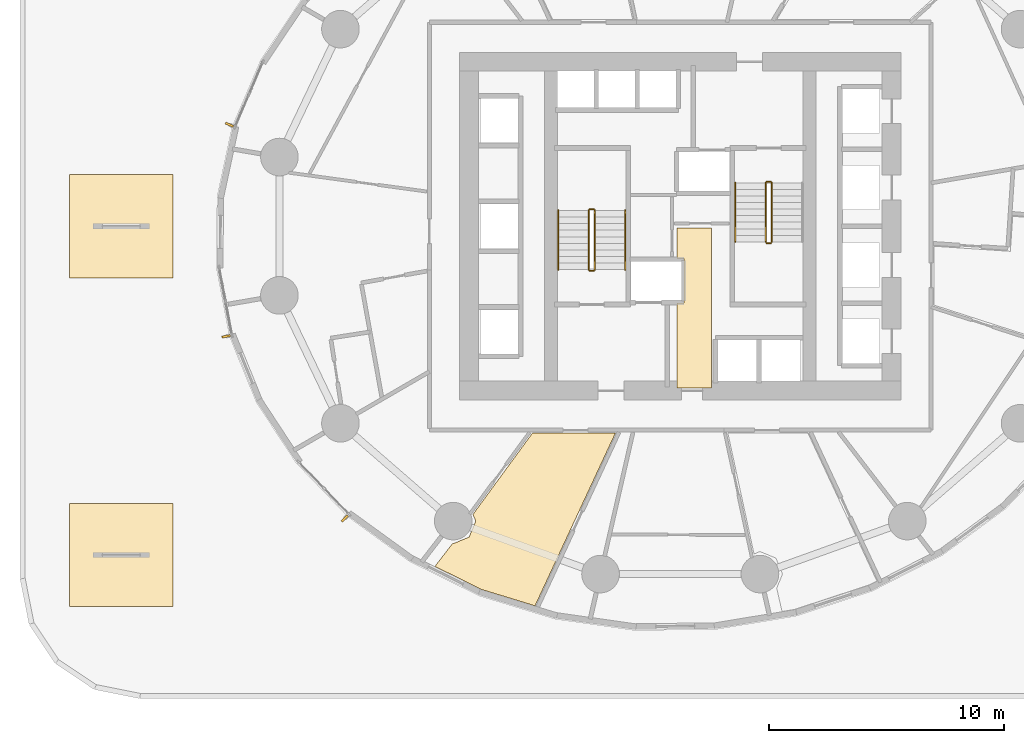
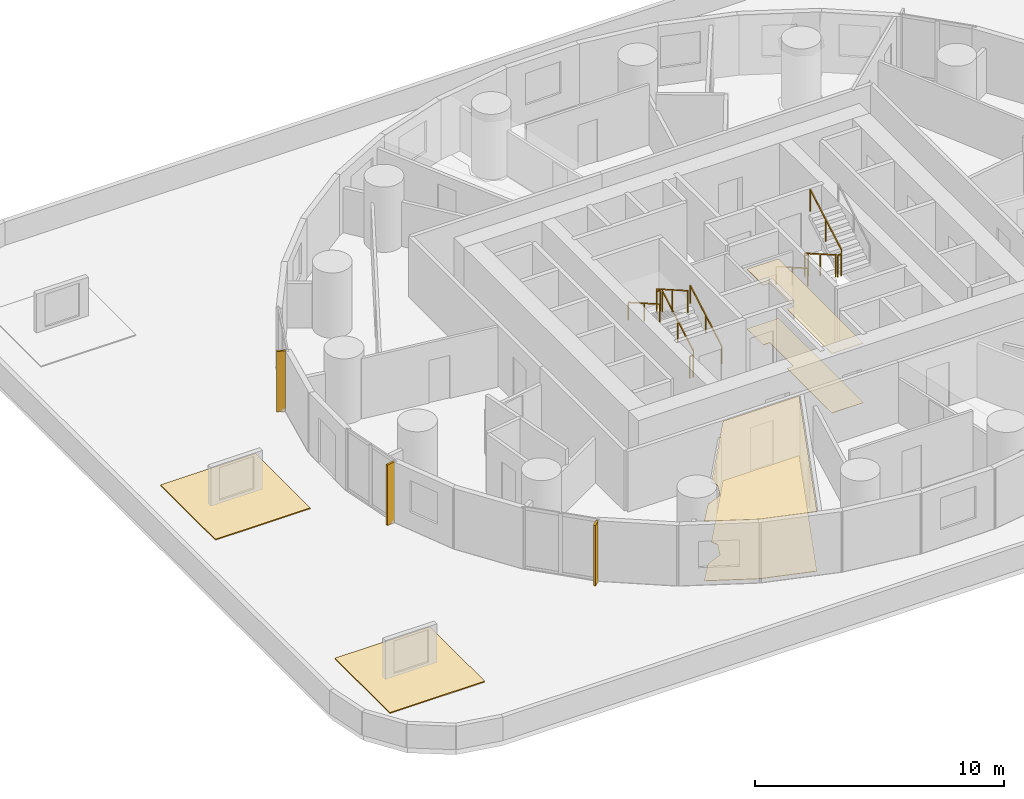
# One storey, part 11 of 12: 11 railings, 6 coverings, 3 shading devices.
"""IFC4 building model written with IfcOpenShell, lengths in metres."""

from ifc_helpers import new_model, si_unit, direction, frame, origin, origin_2d, place, context, subcontext, project, spatial, polyline, rectangle, outline, extrude, material, layer, layer_set, type_object, element, save


model = new_model("IFC4")

# Units and contexts
model_context = context("Model", 3, precision=1e-05, world=origin(), true_north=direction((0.0, 1.0)))
body_context = subcontext(model_context, "Body", "Model", "MODEL_VIEW")
ifc_project = project(units=[si_unit("LENGTHUNIT", "METRE"), si_unit("AREAUNIT", "SQUARE_METRE"), si_unit("VOLUMEUNIT", "CUBIC_METRE"), si_unit("PLANEANGLEUNIT", "RADIAN"), si_unit("MASSUNIT", "GRAM", prefix="KILO")], contexts=[model_context])

# Site, building, storey
site_placement = place(None, origin())
site = spatial("IfcSite", under=ifc_project, at=site_placement, CompositionType="ELEMENT")
building_placement = place(site_placement, origin())
building = spatial("IfcBuilding", under=site, at=building_placement, Name="Veldorim Arch Residences", CompositionType="ELEMENT")
storey_placement = place(building_placement, frame((0.0, 0.0, 24.800048828125)))
storey = spatial("IfcBuildingStorey", under=building, at=storey_placement, Name="L06", CompositionType="ELEMENT", Elevation=24.800048828125)

# Railings
ifc_material_1 = material(Name="Steel S355", Category="steel")
railing_type_1 = type_object("IfcRailingType", Name="Galvanised Steel Stair Safety Guardrail 1100", PredefinedType="GUARDRAIL", material=ifc_material_1)
railing_1_placement = place(storey_placement, frame((28.360107421875, 22.14990234375, 0.159912109375)))
element("IfcRailing", 1, at=railing_1_placement, inside=storey, type_object=railing_type_1, Name="L06 ST-1 stair guard 1", PredefinedType="GUARDRAIL", context=body_context, shape_type="SweptSolid", body=[
    extrude(rectangle(XDim=0.048095703125, YDim=0.048095703125, at=origin_2d()), frame((0.0, 0.0, 1.076171875), z_axis=(0.0, 0.868253494771, 0.496120820787), x_axis=(-1.0, 0.0, 0.0)), (0.0, 0.0, 1.0), 2.90234375),
    extrude(rectangle(XDim=0.0419921875, YDim=0.0419921875, at=origin_2d()), origin(), (0.0, 0.0, 1.0), 1.052001953125),
    extrude(rectangle(XDim=0.0419921875, YDim=0.0419921875, at=origin_2d()), frame((0.0, 1.260009765625, 0.719970703125)), (0.0, 0.0, 1.0), 1.052001953125),
    extrude(rectangle(XDim=0.0419921875, YDim=0.0419921875, at=origin_2d()), frame((0.0, 2.52001953125, 1.43994140625)), (0.0, 0.0, 1.0), 1.052001953125),
])
railing_2_placement = place(storey_placement, frame((28.31005859375, 24.719970703125, 1.599853515625)))
element("IfcRailing", 2, at=railing_2_placement, inside=storey, type_object=railing_type_1, Name="L06 ST-1 stair guard 2", PredefinedType="GUARDRAIL", context=body_context, shape_type="SweptSolid", body=[
    extrude(rectangle(XDim=0.048095703125, YDim=0.048095703125, at=origin_2d()), frame((0.0, 0.0, 1.076171875), z_axis=(-1.0, 0.0, 0.0), x_axis=(0.0, -1.0, 0.0)), (0.0, 0.0, 1.0), 0.16015625),
    extrude(rectangle(XDim=0.0419921875, YDim=0.0419921875, at=origin_2d()), origin(), (0.0, 0.0, 1.0), 1.052001953125),
    extrude(rectangle(XDim=0.0419921875, YDim=0.0419921875, at=origin_2d()), frame((-0.16015625, 0.0, 0.0)), (0.0, 0.0, 1.0), 1.052001953125),
])
railing_3_placement = place(storey_placement, frame((28.10009765625, 24.669921875, 1.760009765625)))
element("IfcRailing", 3, at=railing_3_placement, inside=storey, type_object=railing_type_1, Name="L06 ST-1 stair guard 3", PredefinedType="GUARDRAIL", context=body_context, shape_type="SweptSolid", body=[
    extrude(rectangle(XDim=0.048095703125, YDim=0.048095703125, at=origin_2d()), frame((0.0, 0.0, 1.076171875), z_axis=(0.0, -0.868253494771, 0.496120820787), x_axis=(1.0, 0.0, 0.0)), (0.0, 0.0, 1.0), 2.90234375),
    extrude(rectangle(XDim=0.0419921875, YDim=0.0419921875, at=origin_2d()), origin(), (0.0, 0.0, 1.0), 1.052001953125),
    extrude(rectangle(XDim=0.0419921875, YDim=0.0419921875, at=origin_2d()), frame((0.0, -1.260009765625, 0.719970703125)), (0.0, 0.0, 1.0), 1.052001953125),
    extrude(rectangle(XDim=0.0419921875, YDim=0.0419921875, at=origin_2d()), frame((0.0, -2.52001953125, 1.43994140625)), (0.0, 0.0, 1.0), 1.052001953125),
])
railing_4_placement = place(storey_placement, frame((28.31005859375, 22.10009765625, 0.0)))
element("IfcRailing", 4, at=railing_4_placement, inside=storey, type_object=railing_type_1, Name="L06 ST-1 stair guard 4", PredefinedType="GUARDRAIL", context=body_context, shape_type="SweptSolid", body=[
    extrude(rectangle(XDim=0.048095703125, YDim=0.048095703125, at=origin_2d()), frame((0.0, 0.0, 1.076171875), z_axis=(-1.0, 0.0, 0.0), x_axis=(0.0, -1.0, 0.0)), (0.0, 0.0, 1.0), 0.16015625),
    extrude(rectangle(XDim=0.0419921875, YDim=0.0419921875, at=origin_2d()), origin(), (0.0, 0.0, 1.0), 1.052001953125),
    extrude(rectangle(XDim=0.0419921875, YDim=0.0419921875, at=origin_2d()), frame((-0.16015625, 0.0, 0.0)), (0.0, 0.0, 1.0), 1.052001953125),
])
railing_5_placement = place(storey_placement, frame((35.639892578125, 25.85009765625, 0.159912109375)))
element("IfcRailing", 5, at=railing_5_placement, inside=storey, type_object=railing_type_1, Name="L06 ST-2 stair guard 1", PredefinedType="GUARDRAIL", context=body_context, shape_type="SweptSolid", body=[
    extrude(rectangle(XDim=0.048095703125, YDim=0.048095703125, at=origin_2d()), frame((0.0, 0.0, 1.076171875), z_axis=(0.0, -0.868253494771, 0.496120820787), x_axis=(1.0, 0.0, 0.0)), (0.0, 0.0, 1.0), 2.90234375),
    extrude(rectangle(XDim=0.0419921875, YDim=0.0419921875, at=origin_2d()), origin(), (0.0, 0.0, 1.0), 1.052001953125),
    extrude(rectangle(XDim=0.0419921875, YDim=0.0419921875, at=origin_2d()), frame((0.0, -1.260009765625, 0.719970703125)), (0.0, 0.0, 1.0), 1.052001953125),
    extrude(rectangle(XDim=0.0419921875, YDim=0.0419921875, at=origin_2d()), frame((0.0, -2.52001953125, 1.43994140625)), (0.0, 0.0, 1.0), 1.052001953125),
])
railing_6_placement = place(storey_placement, frame((35.68994140625, 23.280029296875, 1.599853515625)))
element("IfcRailing", 6, at=railing_6_placement, inside=storey, type_object=railing_type_1, Name="L06 ST-2 stair guard 2", PredefinedType="GUARDRAIL", context=body_context, shape_type="SweptSolid", body=[
    extrude(rectangle(XDim=0.048095703125, YDim=0.048095703125, at=origin_2d()), frame((0.0, 0.0, 1.076171875), z_axis=(1.0, 0.0, 0.0), x_axis=(0.0, 1.0, 0.0)), (0.0, 0.0, 1.0), 0.16015625),
    extrude(rectangle(XDim=0.0419921875, YDim=0.0419921875, at=origin_2d()), origin(), (0.0, 0.0, 1.0), 1.052001953125),
    extrude(rectangle(XDim=0.0419921875, YDim=0.0419921875, at=origin_2d()), frame((0.16015625, 0.0, 0.0)), (0.0, 0.0, 1.0), 1.052001953125),
])
railing_7_placement = place(storey_placement, frame((35.89990234375, 23.330078125, 1.760009765625)))
element("IfcRailing", 7, at=railing_7_placement, inside=storey, type_object=railing_type_1, Name="L06 ST-2 stair guard 3", PredefinedType="GUARDRAIL", context=body_context, shape_type="SweptSolid", body=[
    extrude(rectangle(XDim=0.048095703125, YDim=0.048095703125, at=origin_2d()), frame((0.0, 0.0, 1.076171875), z_axis=(0.0, 0.868253494771, 0.496120820787), x_axis=(-1.0, 0.0, 0.0)), (0.0, 0.0, 1.0), 2.90234375),
    extrude(rectangle(XDim=0.0419921875, YDim=0.0419921875, at=origin_2d()), origin(), (0.0, 0.0, 1.0), 1.052001953125),
    extrude(rectangle(XDim=0.0419921875, YDim=0.0419921875, at=origin_2d()), frame((0.0, 1.260009765625, 0.719970703125)), (0.0, 0.0, 1.0), 1.052001953125),
    extrude(rectangle(XDim=0.0419921875, YDim=0.0419921875, at=origin_2d()), frame((0.0, 2.52001953125, 1.43994140625)), (0.0, 0.0, 1.0), 1.052001953125),
])
railing_8_placement = place(storey_placement, frame((35.68994140625, 25.89990234375, 0.0)))
element("IfcRailing", 8, at=railing_8_placement, inside=storey, type_object=railing_type_1, Name="L06 ST-2 stair guard 4", PredefinedType="GUARDRAIL", context=body_context, shape_type="SweptSolid", body=[
    extrude(rectangle(XDim=0.048095703125, YDim=0.048095703125, at=origin_2d()), frame((0.0, 0.0, 1.076171875), z_axis=(1.0, 0.0, 0.0), x_axis=(0.0, 1.0, 0.0)), (0.0, 0.0, 1.0), 0.16015625),
    extrude(rectangle(XDim=0.0419921875, YDim=0.0419921875, at=origin_2d()), origin(), (0.0, 0.0, 1.0), 1.052001953125),
    extrude(rectangle(XDim=0.0419921875, YDim=0.0419921875, at=origin_2d()), frame((0.16015625, 0.0, 0.0)), (0.0, 0.0, 1.0), 1.052001953125),
])

# Coverings
ifc_material_2 = material(Name="EPDM Waterproofing Membrane", Category="membrane")
ifc_layer_1 = layer(ifc_material_2, 0.050048828125, Name="Green Roof Waterproofing & Root-Barrier Membrane")
ifc_layer_set_1 = layer_set([ifc_layer_1], Name="EPDM Waterproofing Membrane")
covering_type_1 = type_object("IfcCoveringType", Name="Green Roof Waterproofing & Root-Barrier Membrane", PredefinedType="ROOFING", material=ifc_layer_set_1)
covering_1_placement = place(storey_placement, origin())
element("IfcCovering", 9, at=covering_1_placement, inside=storey, type_object=covering_type_1, Name="L06 podium roof garden waterproofing membrane 01", PredefinedType="ROOFING", context=body_context, shape_type="SweptSolid", body=[
    extrude(outline(polyline([(6.0, 7.800048828125), (10.39990234375, 7.800048828125), (10.39990234375, 12.199951171875), (6.0, 12.199951171875), (6.0, 7.800048828125)])), origin(), (0.0, 0.0, 1.0), 0.050048828125),
])
covering_2_placement = place(storey_placement, origin())
element("IfcCovering", 10, at=covering_2_placement, inside=storey, type_object=covering_type_1, Name="L06 podium roof garden waterproofing membrane 02", PredefinedType="ROOFING", context=body_context, shape_type="SweptSolid", body=[
    extrude(outline(polyline([(6.0, 21.800048828125), (10.39990234375, 21.800048828125), (10.39990234375, 26.199951171875), (6.0, 26.199951171875), (6.0, 21.800048828125)])), origin(), (0.0, 0.0, 1.0), 0.050048828125),
])
ifc_material_3 = material(Name="Acoustic Gypsum & Mineral Fibre", Category="gypsum")
ifc_layer_2 = layer(ifc_material_3, 0.034912109375, Name="Perforated Acoustic Mineral-Fibre Ceiling 35")
ifc_layer_set_2 = layer_set([ifc_layer_2], Name="Acoustic Gypsum & Mineral Fibre")
covering_type_2 = type_object("IfcCoveringType", Name="Perforated Acoustic Mineral-Fibre Ceiling 35", PredefinedType="CEILING", material=ifc_layer_set_2)
covering_3_placement = place(storey_placement, frame((0.0, 0.0, 2.905029296875)))
element("IfcCovering", 11, at=covering_3_placement, inside=storey, type_object=covering_type_2, Name="L06 acoustic suspended ceiling 01", PredefinedType="CEILING", context=body_context, shape_type="SweptSolid", body=[
    extrude(outline(polyline([(33.330078125, 23.929931640625), (33.330078125, 17.1201171875), (31.8701171875, 17.1201171875), (31.8701171875, 20.735107421875), (32.169921875, 20.735107421875), (32.169921875, 22.625), (31.8701171875, 22.625), (31.8701171875, 23.929931640625), (33.330078125, 23.929931640625)])), origin(), (0.0, 0.0, 1.0), 0.034912109375),
])
covering_4_placement = place(storey_placement, frame((0.0, 0.0, 2.905029296875)))
element("IfcCovering", 12, at=covering_4_placement, inside=storey, type_object=covering_type_2, Name="L06 acoustic suspended ceiling 02", PredefinedType="CEILING", context=body_context, shape_type="SweptSolid", body=[
    extrude(outline(polyline([(22.30859375, 10.4951171875), (22.3330078125, 10.48486328125), (23.01171875, 10.76611328125), (23.29296875, 11.44482421875), (23.17431640625, 11.73095703125), (25.7119140625, 15.199951171875), (29.243896484375, 15.199951171875), (25.818115234375, 7.838623046875), (23.543212890625, 8.53466796875), (21.5546875, 9.51611328125), (22.30859375, 10.4951171875)])), origin(), (0.0, 0.0, 1.0), 0.034912109375),
])
ifc_material_4 = material(Name="Porcelain Ceramic Tile", Category="ceramic")
ifc_layer_3 = layer(ifc_material_4, 0.02001953125, Name="Slip-Resistant Porcelain & Vinyl Floor Finish 20")
ifc_layer_set_3 = layer_set([ifc_layer_3], Name="Porcelain Ceramic Tile")
covering_type_3 = type_object("IfcCoveringType", Name="Slip-Resistant Porcelain & Vinyl Floor Finish 20", PredefinedType="FLOORING", material=ifc_layer_set_3)
covering_5_placement = place(storey_placement, origin())
element("IfcCovering", 13, at=covering_5_placement, inside=storey, type_object=covering_type_3, Name="L06 porcelain floor finish 01", PredefinedType="FLOORING", context=body_context, shape_type="SweptSolid", body=[
    extrude(outline(polyline([(33.330078125, 23.929931640625), (33.330078125, 17.1201171875), (31.8701171875, 17.1201171875), (31.8701171875, 20.735107421875), (32.169921875, 20.735107421875), (32.169921875, 22.625), (31.8701171875, 22.625), (31.8701171875, 23.929931640625), (33.330078125, 23.929931640625)])), origin(), (0.0, 0.0, 1.0), 0.02001953125),
])
covering_6_placement = place(storey_placement, origin())
element("IfcCovering", 14, at=covering_6_placement, inside=storey, type_object=covering_type_3, Name="L06 porcelain floor finish 02", PredefinedType="FLOORING", context=body_context, shape_type="SweptSolid", body=[
    extrude(outline(polyline([(22.30859375, 10.4951171875), (22.3330078125, 10.48486328125), (23.01171875, 10.76611328125), (23.29296875, 11.44482421875), (23.17431640625, 11.73095703125), (25.7119140625, 15.199951171875), (29.243896484375, 15.199951171875), (25.818115234375, 7.838623046875), (23.543212890625, 8.53466796875), (21.5546875, 9.51611328125), (22.30859375, 10.4951171875)])), origin(), (0.0, 0.0, 1.0), 0.02001953125),
])

# Railings
ifc_material_5 = material(Name="Stainless Steel", Category="steel")
railing_type_2 = type_object("IfcRailingType", Name="Tubular Steel Continuous Wall Handrail 900", PredefinedType="HANDRAIL", material=ifc_material_5)
railing_9_placement = place(storey_placement, frame((29.659912109375, 22.14990234375, 0.159912109375)))
element("IfcRailing", 15, at=railing_9_placement, inside=storey, type_object=railing_type_2, Name="L06 ST-1 stair handrail 1", PredefinedType="HANDRAIL", context=body_context, shape_type="SweptSolid", body=[
    extrude(rectangle(XDim=0.048095703125, YDim=0.048095703125, at=origin_2d()), frame((0.0, 0.0, 0.8759765625), z_axis=(0.0, 0.868253494771, 0.496120820787), x_axis=(-1.0, 0.0, 0.0)), (0.0, 0.0, 1.0), 2.90234375),
    extrude(rectangle(XDim=0.0419921875, YDim=0.0419921875, at=origin_2d()), origin(), (0.0, 0.0, 1.0), 0.851806640625),
    extrude(rectangle(XDim=0.0419921875, YDim=0.0419921875, at=origin_2d()), frame((0.0, 1.260009765625, 0.719970703125)), (0.0, 0.0, 1.0), 0.851806640625),
    extrude(rectangle(XDim=0.0419921875, YDim=0.0419921875, at=origin_2d()), frame((0.0, 2.52001953125, 1.43994140625)), (0.0, 0.0, 1.0), 0.851806640625),
])
for number, where, name in (
    (16, (26.800048828125, 24.669921875, 1.760009765625), "L06 ST-1 stair handrail 2"),
    (17, (34.340087890625, 25.85009765625, 0.159912109375), "L06 ST-2 stair handrail 1"),
):
    element("IfcRailing", number, at=place(storey_placement, frame(where)), inside=storey, type_object=railing_type_2, Name=name, PredefinedType="HANDRAIL", context=body_context, shape_type="SweptSolid", body=[
        extrude(rectangle(XDim=0.048095703125, YDim=0.048095703125, at=origin_2d()), frame((0.0, 0.0, 0.8759765625), z_axis=(0.0, -0.868253494771, 0.496120820787), x_axis=(1.0, 0.0, 0.0)), (0.0, 0.0, 1.0), 2.90234375),
        extrude(rectangle(XDim=0.0419921875, YDim=0.0419921875, at=origin_2d()), origin(), (0.0, 0.0, 1.0), 0.851806640625),
        extrude(rectangle(XDim=0.0419921875, YDim=0.0419921875, at=origin_2d()), frame((0.0, -1.260009765625, 0.719970703125)), (0.0, 0.0, 1.0), 0.851806640625),
        extrude(rectangle(XDim=0.0419921875, YDim=0.0419921875, at=origin_2d()), frame((0.0, -2.52001953125, 1.43994140625)), (0.0, 0.0, 1.0), 0.851806640625),
    ])

# Shading devices
ifc_material_6 = material(Name="Terracotta Ceramic", Category="masonry")
ifc_layer_4 = layer(ifc_material_6, 0.090087890625, Name="Vertical Extruded Terracotta Baguette Sun-Shading Fin")
ifc_layer_set_4 = layer_set([ifc_layer_4], Name="Terracotta Ceramic")
shading_device_type = type_object("IfcShadingDeviceType", Name="Vertical Extruded Terracotta Baguette Sun-Shading Fin", PredefinedType="USERDEFINED", material=ifc_layer_set_4)
for number, where, z_axis, x_axis, name in (
    (18, (12.803466796875, 28.3232421875, 0.0), (0.0, 0.0, 1.0), (0.393781484212, 0.919204081089, 0.0), "L06 vertical terracotta sun-shading fin 16"),
    (19, (12.6630859375, 19.3115234375, 0.0), (0.0, 0.0, 1.0), (-0.187209870265, 0.982319939976, 0.0), "L06 vertical terracotta sun-shading fin 19"),
    (20, (17.71533203125, 11.55810546875, 0.0), (0.0, 0.0, 1.0), (-0.693527577607, 0.720430079257, 0.0), "L06 vertical terracotta sun-shading fin 22"),
):
    element("IfcShadingDevice", number, at=place(storey_placement, frame(where, z_axis=z_axis, x_axis=x_axis)), inside=storey, type_object=shading_device_type, Name=name, ObjectType="FIN", PredefinedType="USERDEFINED", context=body_context, shape_type="SweptSolid", body=[
        extrude(rectangle(XDim=0.090087890625, YDim=0.360107421875, at=origin_2d()), origin(), (0.0, 0.0, 1.0), 2.9599609375),
    ])

save(model, "model.ifc")
